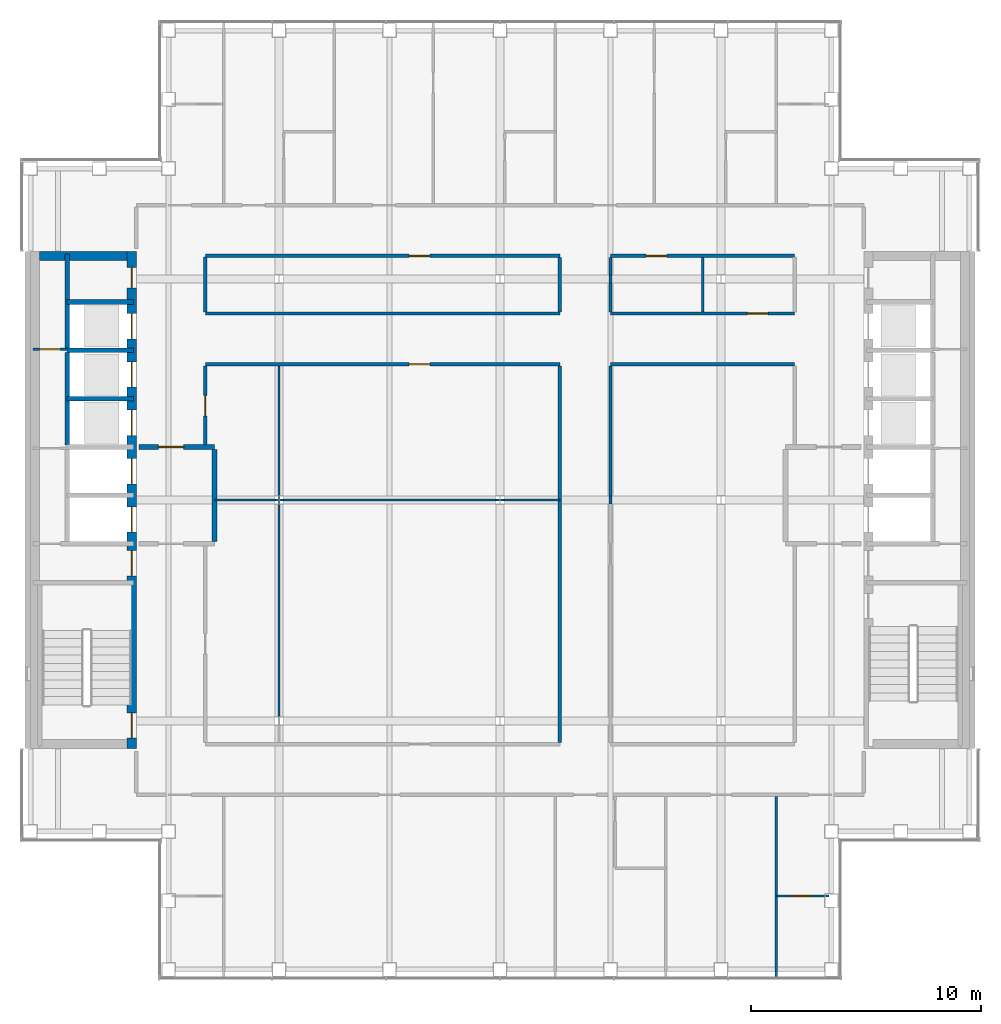
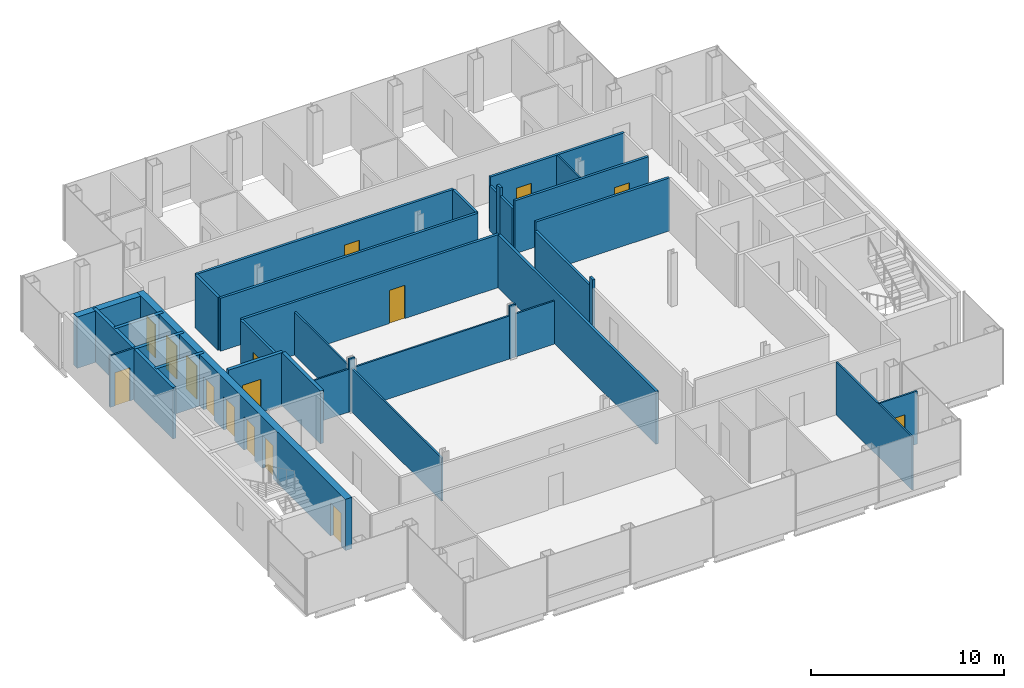
# One storey, part 11 of 15: 35 walls, 16 doors, 16 openings.
"""IFC4 building model written with IfcOpenShell, lengths in metres."""

from ifc_helpers import new_model, si_unit, direction, frame, frame_2d, origin, place, context, subcontext, project, spatial, rectangle, extrude, material, layer, layer_set, type_object, element, fill, save


model = new_model("IFC4")

# Units and contexts
model_context = context("Model", 3, precision=1e-05, world=origin(), true_north=direction((0.0, 1.0)))
body_context = subcontext(model_context, "Body", "Model", "MODEL_VIEW")
ifc_project = project(units=[si_unit("LENGTHUNIT", "METRE"), si_unit("AREAUNIT", "SQUARE_METRE"), si_unit("VOLUMEUNIT", "CUBIC_METRE"), si_unit("PLANEANGLEUNIT", "RADIAN"), si_unit("MASSUNIT", "GRAM", prefix="KILO")], contexts=[model_context])

# Site, building, storey
site_placement = place(None, origin())
site = spatial("IfcSite", under=ifc_project, at=site_placement, CompositionType="ELEMENT")
building_placement = place(site_placement, origin())
building = spatial("IfcBuilding", under=site, at=building_placement, Name="Cobrizo Arcos Hotel Tower", CompositionType="ELEMENT")
storey_placement = place(building_placement, frame((0.0, 0.0, 251.5)))
storey = spatial("IfcBuildingStorey", under=building, at=storey_placement, Name="L66", CompositionType="ELEMENT", Elevation=251.5)

# Wall, opening, door
ifc_material_1 = material(Name="Gypsum board partition")
ifc_layer_1 = layer(ifc_material_1, 0.14990234375)
ifc_layer_set_1 = layer_set([ifc_layer_1], Name="Corridor wall EI 60 150")
wall_type_1 = type_object("IfcWallType", Name="Corridor wall EI 60 150", PredefinedType="PARTITIONING", material=ifc_layer_set_1)
wall_1_placement = place(storey_placement, frame((-12.800048828125, 5.89990234375, 0.0), z_axis=(0.0, 0.0, 1.0), x_axis=(1.0, 0.0, 0.0)))
wall_1 = element("IfcWall", 1, at=wall_1_placement, inside=storey, type_object=wall_type_1, Name="Partition 028", PredefinedType="PARTITIONING", context=body_context, shape_type="SweptSolid", body=[
    extrude(rectangle(XDim=15.400146484375, YDim=0.14990234375, at=frame_2d((7.7001953125, 0.0))), origin(), (0.0, 0.0, 1.0), 3.35009765625),
])
opening_1_placement = place(wall_1_placement, frame((8.85009765625, 0.0, 0.0)))
opening_1 = element("IfcOpeningElement", 2, at=opening_1_placement, cuts=wall_1, Name="Opening RD-15", PredefinedType="OPENING", context=body_context, shape_type="SweptSolid", body=[
    extrude(rectangle(XDim=0.89990234375, YDim=2.10009765625, at=frame_2d((0.449951171875, 1.050048828125))), frame((0.0, 0.0869140625, 0.0), z_axis=(0.0, -1.0, 0.0), x_axis=(1.0, 0.0, 0.0)), (0.0, 0.0, 1.0), 0.173828125),
])
ifc_material_2 = material(Name="Timber door leaf", Category="wood")
door_type_1 = type_object("IfcDoorType", Name="Room door FD30 900x2100", OperationType="SINGLE_SWING_LEFT", PredefinedType="DOOR", material=ifc_material_2)
door_1_placement = place(opening_1_placement, origin())
door_1 = element("IfcDoor", 3, at=door_1_placement, inside=storey, type_object=door_type_1, Name="Door RD-15", OperationType="SINGLE_SWING_RIGHT", OverallHeight=2.10009765625, OverallWidth=0.89990234375, PredefinedType="DOOR", context=body_context, shape_type="SweptSolid", body=[
    extrude(rectangle(XDim=0.89990234375, YDim=2.10009765625, at=frame_2d((0.449951171875, 1.050048828125))), frame((0.0, 0.02490234375, 0.0), z_axis=(0.0, -1.0, 0.0), x_axis=(1.0, 0.0, 0.0)), (0.0, 0.0, 1.0), 0.050048828125),
])
fill(opening_1, door_1)

# Walls
wall_2_placement = place(storey_placement, frame((4.800048828125, 5.89990234375, 0.0), z_axis=(0.0, 0.0, 1.0), x_axis=(1.0, 0.0, 0.0)))
element("IfcWall", 4, at=wall_2_placement, inside=storey, type_object=wall_type_1, Name="Partition 029", PredefinedType="PARTITIONING", context=body_context, shape_type="SweptSolid", body=[
    extrude(rectangle(XDim=8.0, YDim=0.14990234375, at=frame_2d((4.0, 0.0))), origin(), (0.0, 0.0, 1.0), 3.35009765625),
])
wall_3_placement = place(storey_placement, frame((-12.800048828125, 8.10009765625, 0.0), z_axis=(0.0, 0.0, 1.0), x_axis=(1.0, 0.0, 0.0)))
element("IfcWall", 5, at=wall_3_placement, inside=storey, type_object=wall_type_1, Name="Partition 034", PredefinedType="PARTITIONING", context=body_context, shape_type="SweptSolid", body=[
    extrude(rectangle(XDim=15.400146484375, YDim=0.14990234375, at=frame_2d((7.7001953125, 0.0))), origin(), (0.0, 0.0, 1.0), 3.35009765625),
])

# Wall, opening, door
wall_4_placement = place(storey_placement, frame((4.800048828125, 8.10009765625, 0.0), z_axis=(0.0, 0.0, 1.0), x_axis=(1.0, 0.0, 0.0)))
wall_4 = element("IfcWall", 6, at=wall_4_placement, inside=storey, type_object=wall_type_1, Name="Partition 035", PredefinedType="PARTITIONING", context=body_context, shape_type="SweptSolid", body=[
    extrude(rectangle(XDim=8.0, YDim=0.14990234375, at=frame_2d((4.0, 0.0))), origin(), (0.0, 0.0, 1.0), 3.35009765625),
])
opening_2_placement = place(wall_4_placement, frame((5.949951171875, 0.0, 0.0)))
opening_2 = element("IfcOpeningElement", 7, at=opening_2_placement, cuts=wall_4, Name="Opening ED-11", PredefinedType="OPENING", context=body_context, shape_type="SweptSolid", body=[
    extrude(rectangle(XDim=0.89990234375, YDim=2.10009765625, at=frame_2d((0.449951171875, 1.050048828125))), frame((0.0, 0.0869140625, 0.0), z_axis=(0.0, -1.0, 0.0), x_axis=(1.0, 0.0, 0.0)), (0.0, 0.0, 1.0), 0.173828125),
])
door_type_2 = type_object("IfcDoorType", Name="En-suite door 900x2100", OperationType="SINGLE_SWING_LEFT", PredefinedType="DOOR", material=ifc_material_2)
door_2_placement = place(opening_2_placement, origin())
door_2 = element("IfcDoor", 8, at=door_2_placement, inside=storey, type_object=door_type_2, Name="Door ED-11", OperationType="SINGLE_SWING_RIGHT", OverallHeight=2.10009765625, OverallWidth=0.89990234375, PredefinedType="DOOR", context=body_context, shape_type="SweptSolid", body=[
    extrude(rectangle(XDim=0.89990234375, YDim=2.10009765625, at=frame_2d((0.449951171875, 1.050048828125))), frame((0.0, 0.02490234375, 0.0), z_axis=(0.0, -1.0, 0.0), x_axis=(1.0, 0.0, 0.0)), (0.0, 0.0, 1.0), 0.050048828125),
])
fill(opening_2, door_2)

wall_5_placement = place(storey_placement, frame((-12.800048828125, 10.60009765625, 0.0), z_axis=(0.0, 0.0, 1.0), x_axis=(1.0, 0.0, 0.0)))
wall_5 = element("IfcWall", 9, at=wall_5_placement, inside=storey, type_object=wall_type_1, Name="Partition 038", PredefinedType="PARTITIONING", context=body_context, shape_type="SweptSolid", body=[
    extrude(rectangle(XDim=15.400146484375, YDim=0.14990234375, at=frame_2d((7.7001953125, 0.0))), origin(), (0.0, 0.0, 1.0), 3.35009765625),
])
opening_3_placement = place(wall_5_placement, frame((8.85009765625, 0.0, 0.0)))
opening_3 = element("IfcOpeningElement", 10, at=opening_3_placement, cuts=wall_5, Name="Opening RD-14", PredefinedType="OPENING", context=body_context, shape_type="SweptSolid", body=[
    extrude(rectangle(XDim=0.89990234375, YDim=2.10009765625, at=frame_2d((0.449951171875, 1.050048828125))), frame((0.0, 0.0869140625, 0.0), z_axis=(0.0, -1.0, 0.0), x_axis=(1.0, 0.0, 0.0)), (0.0, 0.0, 1.0), 0.173828125),
])
door_3_placement = place(opening_3_placement, origin())
door_3 = element("IfcDoor", 11, at=door_3_placement, inside=storey, type_object=door_type_1, Name="Door RD-14", OperationType="SINGLE_SWING_LEFT", OverallHeight=2.10009765625, OverallWidth=0.89990234375, PredefinedType="DOOR", context=body_context, shape_type="SweptSolid", body=[
    extrude(rectangle(XDim=0.89990234375, YDim=2.10009765625, at=frame_2d((0.449951171875, 1.050048828125))), frame((0.0, 0.02490234375, 0.0), z_axis=(0.0, -1.0, 0.0), x_axis=(1.0, 0.0, 0.0)), (0.0, 0.0, 1.0), 0.050048828125),
])
fill(opening_3, door_3)

wall_6_placement = place(storey_placement, frame((4.800048828125, 10.60009765625, 0.0), z_axis=(0.0, 0.0, 1.0), x_axis=(1.0, 0.0, 0.0)))
wall_6 = element("IfcWall", 12, at=wall_6_placement, inside=storey, type_object=wall_type_1, Name="Partition 039", PredefinedType="PARTITIONING", context=body_context, shape_type="SweptSolid", body=[
    extrude(rectangle(XDim=8.0, YDim=0.14990234375, at=frame_2d((4.0, 0.0))), origin(), (0.0, 0.0, 1.0), 3.35009765625),
])
opening_4_placement = place(wall_6_placement, frame((1.550048828125, 0.0, 0.0)))
opening_4 = element("IfcOpeningElement", 13, at=opening_4_placement, cuts=wall_6, Name="Opening ED-10", PredefinedType="OPENING", context=body_context, shape_type="SweptSolid", body=[
    extrude(rectangle(XDim=0.89990234375, YDim=2.10009765625, at=frame_2d((0.449951171875, 1.050048828125))), frame((0.0, 0.0869140625, 0.0), z_axis=(0.0, -1.0, 0.0), x_axis=(1.0, 0.0, 0.0)), (0.0, 0.0, 1.0), 0.173828125),
])
door_4_placement = place(opening_4_placement, origin())
door_4 = element("IfcDoor", 14, at=door_4_placement, inside=storey, type_object=door_type_2, Name="Door ED-10", OperationType="SINGLE_SWING_LEFT", OverallHeight=2.10009765625, OverallWidth=0.89990234375, PredefinedType="DOOR", context=body_context, shape_type="SweptSolid", body=[
    extrude(rectangle(XDim=0.89990234375, YDim=2.10009765625, at=frame_2d((0.449951171875, 1.050048828125))), frame((0.0, 0.02490234375, 0.0), z_axis=(0.0, -1.0, 0.0), x_axis=(1.0, 0.0, 0.0)), (0.0, 0.0, 1.0), 0.050048828125),
])
fill(opening_4, door_4)

wall_7_placement = place(storey_placement, frame((-12.800048828125, 2.39990234375, 0.0), z_axis=(0.0, 0.0, 1.0), x_axis=(0.0, 1.0, 0.0)))
wall_7 = element("IfcWall", 15, at=wall_7_placement, inside=storey, type_object=wall_type_1, Name="Partition 053", PredefinedType="PARTITIONING", context=body_context, shape_type="SweptSolid", body=[
    extrude(rectangle(XDim=3.425048828125, YDim=0.14990234375, at=frame_2d((1.71240234375, 0.0))), origin(), (0.0, 0.0, 1.0), 3.35009765625),
])
opening_5_placement = place(wall_7_placement, frame((1.25, 0.0, 0.0)))
opening_5 = element("IfcOpeningElement", 16, at=opening_5_placement, cuts=wall_7, Name="Opening RD-12", PredefinedType="OPENING", context=body_context, shape_type="SweptSolid", body=[
    extrude(rectangle(XDim=0.89990234375, YDim=2.10009765625, at=frame_2d((0.449951171875, 1.050048828125))), frame((0.0, 0.0869140625, 0.0), z_axis=(0.0, -1.0, 0.0), x_axis=(1.0, 0.0, 0.0)), (0.0, 0.0, 1.0), 0.173828125),
])
door_5_placement = place(opening_5_placement, origin())
door_5 = element("IfcDoor", 17, at=door_5_placement, inside=storey, type_object=door_type_1, Name="Door RD-12", OperationType="SINGLE_SWING_RIGHT", OverallHeight=2.10009765625, OverallWidth=0.89990234375, PredefinedType="DOOR", context=body_context, shape_type="SweptSolid", body=[
    extrude(rectangle(XDim=0.89990234375, YDim=2.10009765625, at=frame_2d((0.449951171875, 1.050048828125))), frame((0.0, 0.02490234375, 0.0), z_axis=(0.0, -1.0, 0.0), x_axis=(1.0, 0.0, 0.0)), (0.0, 0.0, 1.0), 0.050048828125),
])
fill(opening_5, door_5)

# Walls
wall_8_placement = place(storey_placement, frame((-12.800048828125, 8.175048828125, 0.0), z_axis=(0.0, 0.0, 1.0), x_axis=(0.0, 1.0, 0.0)))
element("IfcWall", 18, at=wall_8_placement, inside=storey, type_object=wall_type_1, Name="Partition 054", PredefinedType="PARTITIONING", context=body_context, shape_type="SweptSolid", body=[
    extrude(rectangle(XDim=2.375, YDim=0.14990234375, at=frame_2d((1.1875, 0.0))), origin(), (0.0, 0.0, 1.0), 3.35009765625),
])
wall_9_placement = place(storey_placement, frame((2.60009765625, -10.52490234375, 0.0), z_axis=(0.0, 0.0, 1.0), x_axis=(0.0, 1.0, 0.0)))
element("IfcWall", 19, at=wall_9_placement, inside=storey, type_object=wall_type_1, Name="Partition 068", PredefinedType="PARTITIONING", context=body_context, shape_type="SweptSolid", body=[
    extrude(rectangle(XDim=16.349853515625, YDim=0.14990234375, at=frame_2d((8.1748046875, 0.0))), origin(), (0.0, 0.0, 1.0), 3.35009765625),
])
wall_10_placement = place(storey_placement, frame((2.60009765625, 8.175048828125, 0.0), z_axis=(0.0, 0.0, 1.0), x_axis=(0.0, 1.0, 0.0)))
element("IfcWall", 20, at=wall_10_placement, inside=storey, type_object=wall_type_1, Name="Partition 069", PredefinedType="PARTITIONING", context=body_context, shape_type="SweptSolid", body=[
    extrude(rectangle(XDim=2.349853515625, YDim=0.14990234375, at=frame_2d((1.1748046875, 0.0))), origin(), (0.0, 0.0, 1.0), 3.35009765625),
])
wall_11_placement = place(storey_placement, frame((4.800048828125, -0.1640625, 0.0), z_axis=(0.0, 0.0, 1.0), x_axis=(0.0, 1.0, 0.0)))
element("IfcWall", 21, at=wall_11_placement, inside=storey, type_object=wall_type_1, Name="Partition 073", PredefinedType="PARTITIONING", context=body_context, shape_type="SweptSolid", body=[
    extrude(rectangle(XDim=0.328125, YDim=0.14990234375, at=frame_2d((0.1640625, 0.0))), origin(), (0.0, 0.0, 1.0), 3.35009765625),
])
wall_12_placement = place(storey_placement, frame((4.800048828125, 0.1640625, 0.0), z_axis=(0.0, 0.0, 1.0), x_axis=(0.0, 1.0, 0.0)))
element("IfcWall", 22, at=wall_12_placement, inside=storey, type_object=wall_type_1, Name="Partition 074", PredefinedType="PARTITIONING", context=body_context, shape_type="SweptSolid", body=[
    extrude(rectangle(XDim=5.660888671875, YDim=0.14990234375, at=frame_2d((2.83056640625, 0.0))), origin(), (0.0, 0.0, 1.0), 2.81689453125),
])
wall_13_placement = place(storey_placement, frame((4.800048828125, 8.175048828125, 0.0), z_axis=(0.0, 0.0, 1.0), x_axis=(0.0, 1.0, 0.0)))
element("IfcWall", 23, at=wall_13_placement, inside=storey, type_object=wall_type_1, Name="Partition 075", PredefinedType="PARTITIONING", context=body_context, shape_type="SweptSolid", body=[
    extrude(rectangle(XDim=1.260986328125, YDim=0.14990234375, at=frame_2d((0.63037109375, 0.0))), origin(), (0.0, 0.0, 1.0), 2.81689453125),
])
wall_14_placement = place(storey_placement, frame((4.800048828125, 9.43603515625, 0.0), z_axis=(0.0, 0.0, 1.0), x_axis=(0.0, 1.0, 0.0)))
element("IfcWall", 24, at=wall_14_placement, inside=storey, type_object=wall_type_1, Name="Partition 076", PredefinedType="PARTITIONING", context=body_context, shape_type="SweptSolid", body=[
    extrude(rectangle(XDim=0.327880859375, YDim=0.14990234375, at=frame_2d((0.1640625, 0.0))), origin(), (0.0, 0.0, 1.0), 3.35009765625),
])
wall_15_placement = place(storey_placement, frame((4.800048828125, 9.763916015625, 0.0), z_axis=(0.0, 0.0, 1.0), x_axis=(0.0, 1.0, 0.0)))
element("IfcWall", 25, at=wall_15_placement, inside=storey, type_object=wall_type_1, Name="Partition 077", PredefinedType="PARTITIONING", context=body_context, shape_type="SweptSolid", body=[
    extrude(rectangle(XDim=0.760986328125, YDim=0.14990234375, at=frame_2d((0.38037109375, 0.0))), origin(), (0.0, 0.0, 1.0), 2.81689453125),
])

# Wall, opening, door
ifc_layer_2 = layer(ifc_material_1, 0.10009765625)
ifc_layer_set_2 = layer_set([ifc_layer_2], Name="Partition EI 30 100")
wall_type_2 = type_object("IfcWallType", Name="Partition EI 30 100", PredefinedType="PARTITIONING", material=ifc_layer_set_2)
wall_16_placement = place(storey_placement, frame((12.0, -17.199951171875, 0.0), z_axis=(0.0, 0.0, 1.0), x_axis=(1.0, 0.0, 0.0)))
wall_16 = element("IfcWall", 26, at=wall_16_placement, inside=storey, type_object=wall_type_2, Name="Partition 002", PredefinedType="PARTITIONING", context=body_context, shape_type="SweptSolid", body=[
    extrude(rectangle(XDim=2.280029296875, YDim=0.10009765625, at=frame_2d((1.14013671875, 0.0))), origin(), (0.0, 0.0, 1.0), 3.35009765625),
])
opening_6_placement = place(wall_16_placement, frame((0.6298828125, 0.0, 0.0)))
opening_6 = element("IfcOpeningElement", 27, at=opening_6_placement, cuts=wall_16, Name="Opening ED-08", PredefinedType="OPENING", context=body_context, shape_type="SweptSolid", body=[
    extrude(rectangle(XDim=0.89990234375, YDim=2.10009765625, at=frame_2d((0.449951171875, 1.050048828125))), frame((0.0, 0.06201171875, 0.0), z_axis=(0.0, -1.0, 0.0), x_axis=(1.0, 0.0, 0.0)), (0.0, 0.0, 1.0), 0.1240234375),
])
door_6_placement = place(opening_6_placement, origin())
door_6 = element("IfcDoor", 28, at=door_6_placement, inside=storey, type_object=door_type_2, Name="Door ED-08", OperationType="SINGLE_SWING_LEFT", OverallHeight=2.10009765625, OverallWidth=0.89990234375, PredefinedType="DOOR", context=body_context, shape_type="SweptSolid", body=[
    extrude(rectangle(XDim=0.89990234375, YDim=2.10009765625, at=frame_2d((0.449951171875, 1.050048828125))), frame((0.0, 0.02490234375, 0.0), z_axis=(0.0, -1.0, 0.0), x_axis=(1.0, 0.0, 0.0)), (0.0, 0.0, 1.0), 0.050048828125),
])
fill(opening_6, door_6)

# Walls
wall_17_placement = place(storey_placement, frame((-12.39990234375, 0.0, 0.0), z_axis=(0.0, 0.0, 1.0), x_axis=(1.0, 0.0, 0.0)))
element("IfcWall", 29, at=wall_17_placement, inside=storey, type_object=wall_type_2, Name="Partition 013", PredefinedType="PARTITIONING", context=body_context, shape_type="SweptSolid", body=[
    extrude(rectangle(XDim=2.615966796875, YDim=0.10009765625, at=frame_2d((1.30810546875, 0.0))), origin(), (0.0, 0.0, 1.0), 2.72802734375),
])
wall_18_placement = place(storey_placement, frame((-9.783935546875, 0.0, 0.0), z_axis=(0.0, 0.0, 1.0), x_axis=(1.0, 0.0, 0.0)))
element("IfcWall", 30, at=wall_18_placement, inside=storey, type_object=wall_type_2, Name="Partition 014", PredefinedType="PARTITIONING", context=body_context, shape_type="SweptSolid", body=[
    extrude(rectangle(XDim=0.367919921875, YDim=0.10009765625, at=frame_2d((0.18408203125, 0.0))), origin(), (0.0, 0.0, 1.0), 3.35009765625),
])
wall_19_placement = place(storey_placement, frame((-9.416015625, 0.0, 0.0), z_axis=(0.0, 0.0, 1.0), x_axis=(1.0, 0.0, 0.0)))
element("IfcWall", 31, at=wall_19_placement, inside=storey, type_object=wall_type_2, Name="Partition 015", PredefinedType="PARTITIONING", context=body_context, shape_type="SweptSolid", body=[
    extrude(rectangle(XDim=9.23193359375, YDim=0.10009765625, at=frame_2d((4.615966796875, 0.0))), origin(), (0.0, 0.0, 1.0), 2.72802734375),
])
wall_20_placement = place(storey_placement, frame((-0.18408203125, 0.0, 0.0), z_axis=(0.0, 0.0, 1.0), x_axis=(1.0, 0.0, 0.0)))
element("IfcWall", 32, at=wall_20_placement, inside=storey, type_object=wall_type_2, Name="Partition 016", PredefinedType="PARTITIONING", context=body_context, shape_type="SweptSolid", body=[
    extrude(rectangle(XDim=0.3681640625, YDim=0.10009765625, at=frame_2d((0.18408203125, 0.0))), origin(), (0.0, 0.0, 1.0), 3.35009765625),
])
wall_21_placement = place(storey_placement, frame((0.18408203125, 0.0, 0.0), z_axis=(0.0, 0.0, 1.0), x_axis=(1.0, 0.0, 0.0)))
element("IfcWall", 33, at=wall_21_placement, inside=storey, type_object=wall_type_2, Name="Partition 017", PredefinedType="PARTITIONING", context=body_context, shape_type="SweptSolid", body=[
    extrude(rectangle(XDim=2.416015625, YDim=0.10009765625, at=frame_2d((1.2080078125, 0.0))), origin(), (0.0, 0.0, 1.0), 2.72802734375),
])

# Wall, opening, door
wall_22_placement = place(storey_placement, frame((-20.280029296875, 6.550048828125, 0.0), z_axis=(0.0, 0.0, 1.0), x_axis=(1.0, 0.0, 0.0)))
wall_22 = element("IfcWall", 34, at=wall_22_placement, inside=storey, type_object=wall_type_2, Name="Partition 032", PredefinedType="PARTITIONING", context=body_context, shape_type="SweptSolid", body=[
    extrude(rectangle(XDim=1.47998046875, YDim=0.10009765625, at=frame_2d((0.739990234375, 0.0))), origin(), (0.0, 0.0, 1.0), 3.25),
])
opening_7_placement = place(wall_22_placement, frame((0.280029296875, 0.0, 0.0)))
opening_7 = element("IfcOpeningElement", 35, at=opening_7_placement, cuts=wall_22, Name="Opening RD-03", PredefinedType="OPENING", context=body_context, shape_type="SweptSolid", body=[
    extrude(rectangle(XDim=0.89990234375, YDim=2.10009765625, at=frame_2d((0.449951171875, 1.050048828125))), frame((0.0, 0.06201171875, 0.0), z_axis=(0.0, -1.0, 0.0), x_axis=(1.0, 0.0, 0.0)), (0.0, 0.0, 1.0), 0.1240234375),
])
door_7_placement = place(opening_7_placement, origin())
door_7 = element("IfcDoor", 36, at=door_7_placement, inside=storey, type_object=door_type_1, Name="Door RD-03", OperationType="SINGLE_SWING_LEFT", OverallHeight=2.10009765625, OverallWidth=0.89990234375, PredefinedType="DOOR", context=body_context, shape_type="SweptSolid", body=[
    extrude(rectangle(XDim=0.89990234375, YDim=2.10009765625, at=frame_2d((0.449951171875, 1.050048828125))), frame((0.0, 0.02490234375, 0.0), z_axis=(0.0, -1.0, 0.0), x_axis=(1.0, 0.0, 0.0)), (0.0, 0.0, 1.0), 0.050048828125),
])
fill(opening_7, door_7)

# Walls
wall_23_placement = place(storey_placement, frame((-9.60009765625, -9.416015625, 0.0), z_axis=(0.0, 0.0, 1.0), x_axis=(0.0, 1.0, 0.0)))
element("IfcWall", 37, at=wall_23_placement, inside=storey, type_object=wall_type_2, Name="Partition 060", PredefinedType="PARTITIONING", context=body_context, shape_type="SweptSolid", body=[
    extrude(rectangle(XDim=9.365966796875, YDim=0.10009765625, at=frame_2d((4.68310546875, 0.0))), origin(), (0.0, 0.0, 1.0), 2.72802734375),
])
wall_24_placement = place(storey_placement, frame((-9.60009765625, 0.050048828125, 0.0), z_axis=(0.0, 0.0, 1.0), x_axis=(0.0, 1.0, 0.0)))
element("IfcWall", 38, at=wall_24_placement, inside=storey, type_object=wall_type_2, Name="Partition 061", PredefinedType="PARTITIONING", context=body_context, shape_type="SweptSolid", body=[
    extrude(rectangle(XDim=5.77490234375, YDim=0.10009765625, at=frame_2d((2.887451171875, 0.0))), origin(), (0.0, 0.0, 1.0), 2.72802734375),
])
wall_25_placement = place(storey_placement, frame((8.800048828125, 8.175048828125, 0.0), z_axis=(0.0, 0.0, 1.0), x_axis=(0.0, 1.0, 0.0)))
element("IfcWall", 39, at=wall_25_placement, inside=storey, type_object=wall_type_2, Name="Partition 081", PredefinedType="PARTITIONING", context=body_context, shape_type="SweptSolid", body=[
    extrude(rectangle(XDim=2.349853515625, YDim=0.10009765625, at=frame_2d((1.1748046875, 0.0))), origin(), (0.0, 0.0, 1.0), 3.35009765625),
])
wall_26_placement = place(storey_placement, frame((12.0, -20.72998046875, 0.0), z_axis=(0.0, 0.0, 1.0), x_axis=(0.0, 1.0, 0.0)))
element("IfcWall", 40, at=wall_26_placement, inside=storey, type_object=wall_type_2, Name="Partition 083", PredefinedType="PARTITIONING", context=body_context, shape_type="SweptSolid", body=[
    extrude(rectangle(XDim=7.85498046875, YDim=0.10009765625, at=frame_2d((3.927490234375, 0.0))), origin(), (0.0, 0.0, 1.0), 3.35009765625),
])

# Wall, openings, doors
ifc_material_3 = material(Name="Concrete f'c 40 MPa", Category="concrete")
ifc_layer_3 = layer(ifc_material_3, 0.39990234375)
ifc_layer_set_3 = layer_set([ifc_layer_3], Name="RC core wall 400 f'c 40")
wall_type_3 = type_object("IfcWallType", Name="RC core wall 400 f'c 40", PredefinedType="SHEAR", material=ifc_layer_set_3)
wall_27_placement = place(storey_placement, frame((-16.0, -10.800048828125, 0.0), z_axis=(0.0, 0.0, 1.0), x_axis=(0.0, 1.0, 0.0)))
wall_27 = element("IfcWall", 41, at=wall_27_placement, inside=storey, type_object=wall_type_3, Name="Core wall CW4, west core, inner face, L66", PredefinedType="SHEAR", context=body_context, shape_type="SweptSolid", body=[
    extrude(rectangle(XDim=21.60009765625, YDim=0.39990234375, at=frame_2d((10.800048828125, 0.0))), origin(), (0.0, 0.0, 1.0), 3.25),
])
opening_8_placement = place(wall_27_placement, frame((9.39990234375, 0.0, 0.0)))
opening_8 = element("IfcOpeningElement", 42, at=opening_8_placement, cuts=wall_27, Name="Opening LD-01", PredefinedType="OPENING", context=body_context, shape_type="SweptSolid", body=[
    extrude(rectangle(XDim=1.10009765625, YDim=2.10009765625, at=frame_2d((0.550048828125, 1.050048828125))), frame((0.0, 0.2119140625, 0.0), z_axis=(0.0, -1.0, 0.0), x_axis=(1.0, 0.0, 0.0)), (0.0, 0.0, 1.0), 0.423828125),
])
opening_9_placement = place(wall_27_placement, frame((11.5, 0.0, 0.0)))
opening_9 = element("IfcOpeningElement", 43, at=opening_9_placement, cuts=wall_27, Name="Opening LD-02", PredefinedType="OPENING", context=body_context, shape_type="SweptSolid", body=[
    extrude(rectangle(XDim=1.10009765625, YDim=2.10009765625, at=frame_2d((0.550048828125, 1.050048828125))), frame((0.0, 0.2119140625, 0.0), z_axis=(0.0, -1.0, 0.0), x_axis=(1.0, 0.0, 0.0)), (0.0, 0.0, 1.0), 0.423828125),
])
opening_10_placement = place(wall_27_placement, frame((13.60009765625, 0.0, 0.0)))
opening_10 = element("IfcOpeningElement", 44, at=opening_10_placement, cuts=wall_27, Name="Opening LD-03", PredefinedType="OPENING", context=body_context, shape_type="SweptSolid", body=[
    extrude(rectangle(XDim=1.10009765625, YDim=2.10009765625, at=frame_2d((0.550048828125, 1.050048828125))), frame((0.0, 0.2119140625, 0.0), z_axis=(0.0, -1.0, 0.0), x_axis=(1.0, 0.0, 0.0)), (0.0, 0.0, 1.0), 0.423828125),
])
opening_11_placement = place(wall_27_placement, frame((15.699951171875, 0.0, 0.0)))
opening_11 = element("IfcOpeningElement", 45, at=opening_11_placement, cuts=wall_27, Name="Opening LD-04", PredefinedType="OPENING", context=body_context, shape_type="SweptSolid", body=[
    extrude(rectangle(XDim=1.10009765625, YDim=2.10009765625, at=frame_2d((0.550048828125, 1.050048828125))), frame((0.0, 0.2119140625, 0.0), z_axis=(0.0, -1.0, 0.0), x_axis=(1.0, 0.0, 0.0)), (0.0, 0.0, 1.0), 0.423828125),
])
opening_12_placement = place(wall_27_placement, frame((17.800048828125, 0.0, 0.0)))
opening_12 = element("IfcOpeningElement", 46, at=opening_12_placement, cuts=wall_27, Name="Opening LD-05", PredefinedType="OPENING", context=body_context, shape_type="SweptSolid", body=[
    extrude(rectangle(XDim=1.10009765625, YDim=2.10009765625, at=frame_2d((0.550048828125, 1.050048828125))), frame((0.0, 0.2119140625, 0.0), z_axis=(0.0, -1.0, 0.0), x_axis=(1.0, 0.0, 0.0)), (0.0, 0.0, 1.0), 0.423828125),
])
opening_13_placement = place(wall_27_placement, frame((0.4580078125, 0.0, 0.0)))
opening_13 = element("IfcOpeningElement", 47, at=opening_13_placement, cuts=wall_27, Name="Opening SD-01", PredefinedType="OPENING", context=body_context, shape_type="SweptSolid", body=[
    extrude(rectangle(XDim=1.10009765625, YDim=2.10009765625, at=frame_2d((0.550048828125, 1.050048828125))), frame((0.0, 0.2119140625, 0.0), z_axis=(0.0, -1.0, 0.0), x_axis=(1.0, 0.0, 0.0)), (0.0, 0.0, 1.0), 0.423828125),
])
opening_14_placement = place(wall_27_placement, frame((7.5, 0.0, 0.0)))
opening_14 = element("IfcOpeningElement", 48, at=opening_14_placement, cuts=wall_27, Name="Opening FD-01", PredefinedType="OPENING", context=body_context, shape_type="SweptSolid", body=[
    extrude(rectangle(XDim=1.10009765625, YDim=2.10009765625, at=frame_2d((0.550048828125, 1.050048828125))), frame((0.0, 0.2119140625, 0.0), z_axis=(0.0, -1.0, 0.0), x_axis=(1.0, 0.0, 0.0)), (0.0, 0.0, 1.0), 0.423828125),
])
opening_15_placement = place(wall_27_placement, frame((20.0, 0.0, 0.0)))
opening_15 = element("IfcOpeningElement", 49, at=opening_15_placement, cuts=wall_27, Name="Opening ED-01", PredefinedType="OPENING", context=body_context, shape_type="SweptSolid", body=[
    extrude(rectangle(XDim=0.89990234375, YDim=2.10009765625, at=frame_2d((0.449951171875, 1.050048828125))), frame((0.0, 0.2119140625, 0.0), z_axis=(0.0, -1.0, 0.0), x_axis=(1.0, 0.0, 0.0)), (0.0, 0.0, 1.0), 0.423828125),
])
door_8_placement = place(opening_15_placement, origin())
door_8 = element("IfcDoor", 50, at=door_8_placement, inside=storey, type_object=door_type_2, Name="Door ED-01", OperationType="SINGLE_SWING_RIGHT", OverallHeight=2.10009765625, OverallWidth=0.89990234375, PredefinedType="DOOR", context=body_context, shape_type="SweptSolid", body=[
    extrude(rectangle(XDim=0.89990234375, YDim=2.10009765625, at=frame_2d((0.449951171875, 1.050048828125))), frame((0.0, 0.02490234375, 0.0), z_axis=(0.0, -1.0, 0.0), x_axis=(1.0, 0.0, 0.0)), (0.0, 0.0, 1.0), 0.050048828125),
])
fill(opening_15, door_8)
ifc_material_4 = material(Name="Steel door leaf", Category="steel")
door_type_3 = type_object("IfcDoorType", Name="Fire door FD60 1100x2100", OperationType="SINGLE_SWING_LEFT", PredefinedType="DOOR", material=ifc_material_4)
door_9_placement = place(opening_14_placement, origin())
door_9 = element("IfcDoor", 51, at=door_9_placement, inside=storey, type_object=door_type_3, Name="Door FD-01", OperationType="SINGLE_SWING_LEFT", OverallHeight=2.10009765625, OverallWidth=1.10009765625, PredefinedType="DOOR", context=body_context, shape_type="SweptSolid", body=[
    extrude(rectangle(XDim=1.10009765625, YDim=2.10009765625, at=frame_2d((0.550048828125, 1.050048828125))), frame((0.0, 0.02490234375, 0.0), z_axis=(0.0, -1.0, 0.0), x_axis=(1.0, 0.0, 0.0)), (0.0, 0.0, 1.0), 0.050048828125),
])
fill(opening_14, door_9)
door_type_4 = type_object("IfcDoorType", Name="Lift landing door 1100x2100", OperationType="SLIDING_TO_LEFT", PredefinedType="DOOR", material=ifc_material_4)
door_10_placement = place(opening_8_placement, origin())
door_10 = element("IfcDoor", 52, at=door_10_placement, inside=storey, type_object=door_type_4, Name="Lift landing door LD-01", OperationType="SLIDING_TO_LEFT", OverallHeight=2.10009765625, OverallWidth=1.10009765625, PredefinedType="DOOR", context=body_context, shape_type="SweptSolid", body=[
    extrude(rectangle(XDim=1.10009765625, YDim=2.10009765625, at=frame_2d((0.550048828125, 1.050048828125))), frame((0.0, 0.02490234375, 0.0), z_axis=(0.0, -1.0, 0.0), x_axis=(1.0, 0.0, 0.0)), (0.0, 0.0, 1.0), 0.050048828125),
])
fill(opening_8, door_10)
door_11_placement = place(opening_9_placement, origin())
door_11 = element("IfcDoor", 53, at=door_11_placement, inside=storey, type_object=door_type_4, Name="Lift landing door LD-02", OperationType="SLIDING_TO_LEFT", OverallHeight=2.10009765625, OverallWidth=1.10009765625, PredefinedType="DOOR", context=body_context, shape_type="SweptSolid", body=[
    extrude(rectangle(XDim=1.10009765625, YDim=2.10009765625, at=frame_2d((0.550048828125, 1.050048828125))), frame((0.0, 0.02490234375, 0.0), z_axis=(0.0, -1.0, 0.0), x_axis=(1.0, 0.0, 0.0)), (0.0, 0.0, 1.0), 0.050048828125),
])
fill(opening_9, door_11)
door_12_placement = place(opening_10_placement, origin())
door_12 = element("IfcDoor", 54, at=door_12_placement, inside=storey, type_object=door_type_4, Name="Lift landing door LD-03", OperationType="SLIDING_TO_LEFT", OverallHeight=2.10009765625, OverallWidth=1.10009765625, PredefinedType="DOOR", context=body_context, shape_type="SweptSolid", body=[
    extrude(rectangle(XDim=1.10009765625, YDim=2.10009765625, at=frame_2d((0.550048828125, 1.050048828125))), frame((0.0, 0.02490234375, 0.0), z_axis=(0.0, -1.0, 0.0), x_axis=(1.0, 0.0, 0.0)), (0.0, 0.0, 1.0), 0.050048828125),
])
fill(opening_10, door_12)
door_13_placement = place(opening_11_placement, origin())
door_13 = element("IfcDoor", 55, at=door_13_placement, inside=storey, type_object=door_type_4, Name="Lift landing door LD-04", OperationType="SLIDING_TO_LEFT", OverallHeight=2.10009765625, OverallWidth=1.10009765625, PredefinedType="DOOR", context=body_context, shape_type="SweptSolid", body=[
    extrude(rectangle(XDim=1.10009765625, YDim=2.10009765625, at=frame_2d((0.550048828125, 1.050048828125))), frame((0.0, 0.02490234375, 0.0), z_axis=(0.0, -1.0, 0.0), x_axis=(1.0, 0.0, 0.0)), (0.0, 0.0, 1.0), 0.050048828125),
])
fill(opening_11, door_13)
door_14_placement = place(opening_12_placement, origin())
door_14 = element("IfcDoor", 56, at=door_14_placement, inside=storey, type_object=door_type_4, Name="Lift landing door LD-05", OperationType="SLIDING_TO_LEFT", OverallHeight=2.10009765625, OverallWidth=1.10009765625, PredefinedType="DOOR", context=body_context, shape_type="SweptSolid", body=[
    extrude(rectangle(XDim=1.10009765625, YDim=2.10009765625, at=frame_2d((0.550048828125, 1.050048828125))), frame((0.0, 0.02490234375, 0.0), z_axis=(0.0, -1.0, 0.0), x_axis=(1.0, 0.0, 0.0)), (0.0, 0.0, 1.0), 0.050048828125),
])
fill(opening_12, door_14)
door_type_5 = type_object("IfcDoorType", Name="Stair door FD60S 1100x2100", OperationType="SINGLE_SWING_LEFT", PredefinedType="DOOR", material=ifc_material_4)
door_15_placement = place(opening_13_placement, origin())
door_15 = element("IfcDoor", 57, at=door_15_placement, inside=storey, type_object=door_type_5, Name="Door SD-01", OperationType="SINGLE_SWING_LEFT", OverallHeight=2.10009765625, OverallWidth=1.10009765625, PredefinedType="DOOR", context=body_context, shape_type="SweptSolid", body=[
    extrude(rectangle(XDim=1.10009765625, YDim=2.10009765625, at=frame_2d((0.550048828125, 1.050048828125))), frame((0.0, 0.02490234375, 0.0), z_axis=(0.0, -1.0, 0.0), x_axis=(1.0, 0.0, 0.0)), (0.0, 0.0, 1.0), 0.050048828125),
])
fill(opening_13, door_15)

# Wall
wall_28_placement = place(storey_placement, frame((-20.0, 10.60009765625, 0.0), z_axis=(0.0, 0.0, 1.0), x_axis=(1.0, 0.0, 0.0)))
element("IfcWall", 58, at=wall_28_placement, inside=storey, type_object=wall_type_3, Name="Core wall CW4, west core, north end, L66", PredefinedType="SHEAR", context=body_context, shape_type="SweptSolid", body=[
    extrude(rectangle(XDim=3.800048828125, YDim=0.39990234375, at=frame_2d((1.89990234375, 0.0))), origin(), (0.0, 0.0, 1.0), 3.25),
])

# Wall, opening, door
ifc_layer_4 = layer(ifc_material_1, 0.199951171875)
ifc_layer_set_4 = layer_set([ifc_layer_4], Name="Shaft wall EI 120 200")
wall_type_4 = type_object("IfcWallType", Name="Shaft wall EI 120 200", PredefinedType="PARTITIONING", material=ifc_layer_set_4)
wall_29_placement = place(storey_placement, frame((-15.679931640625, 2.300048828125, 0.0), z_axis=(0.0, 0.0, 1.0), x_axis=(1.0, 0.0, 0.0)))
wall_29 = element("IfcWall", 59, at=wall_29_placement, inside=storey, type_object=wall_type_4, Name="Partition 023", PredefinedType="PARTITIONING", context=body_context, shape_type="SweptSolid", body=[
    extrude(rectangle(XDim=3.280029296875, YDim=0.199951171875, at=frame_2d((1.64013671875, 0.0))), origin(), (0.0, 0.0, 1.0), 3.35009765625),
])
opening_16_placement = place(wall_29_placement, frame((0.840087890625, 0.0, 0.0)))
opening_16 = element("IfcOpeningElement", 60, at=opening_16_placement, cuts=wall_29, Name="Opening FD-02", PredefinedType="OPENING", context=body_context, shape_type="SweptSolid", body=[
    extrude(rectangle(XDim=1.10009765625, YDim=2.10009765625, at=frame_2d((0.550048828125, 1.050048828125))), frame((0.0, 0.112060546875, 0.0), z_axis=(0.0, -1.0, 0.0), x_axis=(1.0, 0.0, 0.0)), (0.0, 0.0, 1.0), 0.223876953125),
])
door_16_placement = place(opening_16_placement, origin())
door_16 = element("IfcDoor", 61, at=door_16_placement, inside=storey, type_object=door_type_3, Name="Door FD-02", OperationType="SINGLE_SWING_LEFT", OverallHeight=2.10009765625, OverallWidth=1.10009765625, PredefinedType="DOOR", context=body_context, shape_type="SweptSolid", body=[
    extrude(rectangle(XDim=1.10009765625, YDim=2.10009765625, at=frame_2d((0.550048828125, 1.050048828125))), frame((0.0, 0.02490234375, 0.0), z_axis=(0.0, -1.0, 0.0), x_axis=(1.0, 0.0, 0.0)), (0.0, 0.0, 1.0), 0.050048828125),
])
fill(opening_16, door_16)

# Walls
for number, where, z_axis, x_axis, name in (
    (62, (-18.800048828125, 4.39990234375, 0.0), (0.0, 0.0, 1.0), (1.0, 0.0, 0.0), "Partition 026"),
    (63, (-18.800048828125, 6.5, 0.0), (0.0, 0.0, 1.0), (1.0, 0.0, 0.0), "Partition 030"),
    (64, (-18.800048828125, 8.60009765625, 0.0), (0.0, 0.0, 1.0), (1.0, 0.0, 0.0), "Partition 036"),
):
    element("IfcWall", number, at=place(storey_placement, frame(where, z_axis=z_axis, x_axis=x_axis)), inside=storey, type_object=wall_type_4, Name=name, PredefinedType="PARTITIONING", context=body_context, shape_type="SweptSolid", body=[
        extrude(rectangle(XDim=2.880126953125, YDim=0.199951171875, at=frame_2d((1.43994140625, 0.0))), origin(), (0.0, 0.0, 1.0), 3.25),
    ])
wall_30_placement = place(storey_placement, frame((-18.800048828125, 2.39990234375, 0.0), z_axis=(0.0, 0.0, 1.0), x_axis=(0.0, 1.0, 0.0)))
element("IfcWall", 65, at=wall_30_placement, inside=storey, type_object=wall_type_4, Name="Partition 048", PredefinedType="PARTITIONING", context=body_context, shape_type="SweptSolid", body=[
    extrude(rectangle(XDim=4.0, YDim=0.199951171875, at=frame_2d((2.0, 0.0))), origin(), (0.0, 0.0, 1.0), 3.25),
])
wall_31_placement = place(storey_placement, frame((-18.800048828125, 6.60009765625, 0.0), z_axis=(0.0, 0.0, 1.0), x_axis=(0.0, 1.0, 0.0)))
element("IfcWall", 66, at=wall_31_placement, inside=storey, type_object=wall_type_4, Name="Partition 049", PredefinedType="PARTITIONING", context=body_context, shape_type="SweptSolid", body=[
    extrude(rectangle(XDim=4.079833984375, YDim=0.199951171875, at=frame_2d((2.0400390625, 0.0))), origin(), (0.0, 0.0, 1.0), 3.25),
])
wall_32_placement = place(storey_placement, frame((-12.39990234375, -1.800048828125, 0.0), z_axis=(0.0, 0.0, 1.0), x_axis=(0.0, 1.0, 0.0)))
element("IfcWall", 67, at=wall_32_placement, inside=storey, type_object=wall_type_4, Name="Partition 055", PredefinedType="PARTITIONING", context=body_context, shape_type="SweptSolid", body=[
    extrude(rectangle(XDim=4.0, YDim=0.199951171875, at=frame_2d((2.0, 0.0))), origin(), (0.0, 0.0, 1.0), 3.35009765625),
])

save(model, "model.ifc")
